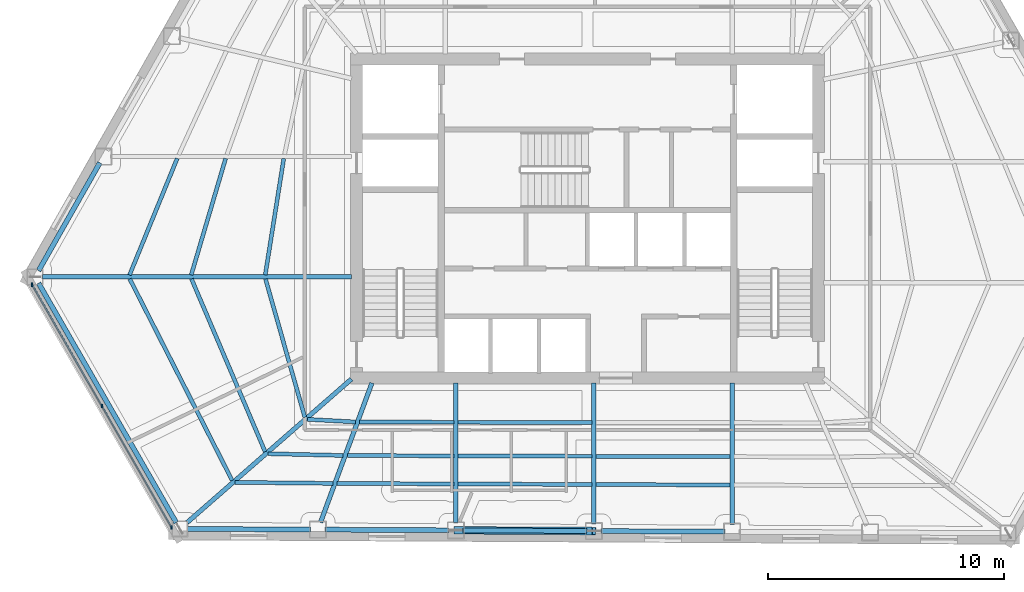
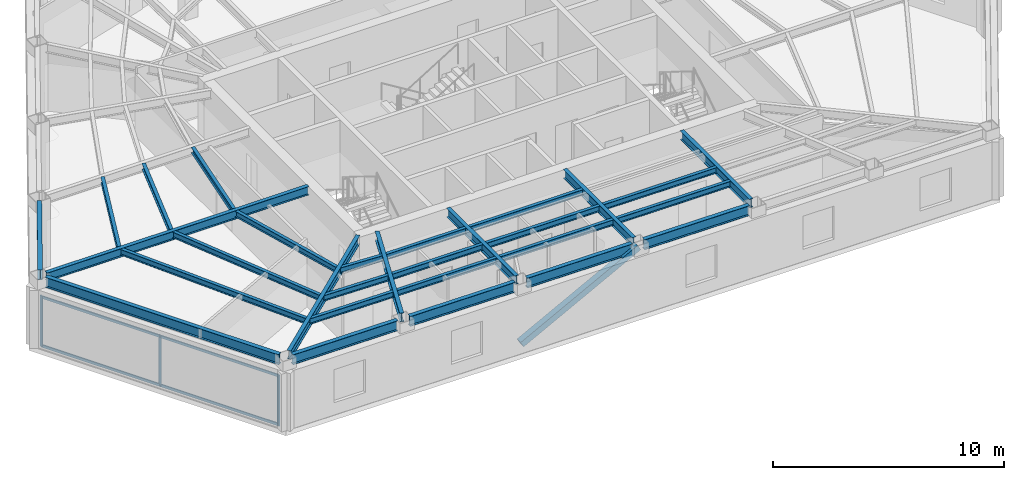
# One storey, part 2 of 13: 29 beams, 6 members, 1 element without a shape of its own.
"""IFC4 building model written with IfcOpenShell, lengths in metres."""

from ifc_helpers import new_model, si_unit, direction, frame, origin, origin_2d, place, context, subcontext, project, spatial, rectangle, hollow_rectangle, i_section, extrude, material, layer, layer_set, material_profile, profile_set, type_object, element, aggregate, save


model = new_model("IFC4")

# Units and contexts
model_context = context("Model", 3, precision=1e-05, world=origin(), true_north=direction((0.0, 1.0)))
body_context = subcontext(model_context, "Body", "Model", "MODEL_VIEW")
ifc_project = project(units=[si_unit("LENGTHUNIT", "METRE"), si_unit("AREAUNIT", "SQUARE_METRE"), si_unit("VOLUMEUNIT", "CUBIC_METRE"), si_unit("PLANEANGLEUNIT", "RADIAN"), si_unit("MASSUNIT", "GRAM", prefix="KILO")], contexts=[model_context])

# Site, building, storey
site_placement = place(None, origin())
site = spatial("IfcSite", under=ifc_project, at=site_placement, CompositionType="ELEMENT")
building_placement = place(site_placement, origin())
building = spatial("IfcBuilding", under=site, at=building_placement, Name="Kavelnor Concourse Tower", CompositionType="ELEMENT")
storey_placement = place(building_placement, frame((0.0, 0.0, 100.89990234375)))
storey = spatial("IfcBuildingStorey", under=building, at=storey_placement, Name="L25", CompositionType="ELEMENT", Elevation=100.89990234375)

# Beams
ifc_material_1 = material(Name="Steel Grade 350", Category="steel")
ifc_material_profile_1 = material_profile(ifc_material_1, i_section(OverallWidth=0.166015625, OverallDepth=0.306884765625, WebThickness=0.006591796875, FlangeThickness=0.01171875, at=origin_2d()), Name="310UB46")
ifc_profile_set_1 = profile_set([ifc_material_profile_1], Name="Steel Grade 350")
beam_type_1 = type_object("IfcBeamType", Name="BM-JOIST-310", PredefinedType="JOIST", material=ifc_profile_set_1)
beam_1_placement = place(storey_placement, frame((24.377197265625, 13.540771484375, 3.446533203125), z_axis=(0.273421872774, -0.961894214292, 0.0), x_axis=(0.961894214292, 0.273421872774, 0.0)))
element("IfcBeam", 1, at=beam_1_placement, inside=storey, type_object=beam_type_1, Name="L25 Secondary Composite Joist 01-1", PredefinedType="JOIST", context=body_context, shape_type="SweptSolid", body=[
    extrude(i_section(OverallWidth=0.166015625, OverallDepth=0.306884765625, WebThickness=0.006591796875, FlangeThickness=0.01171875, at=origin_2d()), origin(), (0.0, 0.0, 1.0), 6.08154296875),
])
beam_2_placement = place(storey_placement, frame((21.24462890625, 13.54443359375, 3.446533203125), z_axis=(0.392106109439, -0.919919995946, 0.0), x_axis=(0.919919995946, 0.392106109439, 0.0)))
element("IfcBeam", 2, at=beam_2_placement, inside=storey, type_object=beam_type_1, Name="L25 Secondary Composite Joist 01-2", PredefinedType="JOIST", context=body_context, shape_type="SweptSolid", body=[
    extrude(i_section(OverallWidth=0.166015625, OverallDepth=0.306884765625, WebThickness=0.006591796875, FlangeThickness=0.01171875, at=origin_2d()), origin(), (0.0, 0.0, 1.0), 7.949951171875),
])
beam_3_placement = place(storey_placement, frame((18.630859375, 13.547119140625, 3.446533203125), z_axis=(0.453040874206, -0.891489745481, 0.0), x_axis=(0.891489745481, 0.453040874206, 0.0)))
element("IfcBeam", 3, at=beam_3_placement, inside=storey, type_object=beam_type_1, Name="L25 Secondary Composite Joist 01-3", PredefinedType="JOIST", context=body_context, shape_type="SweptSolid", body=[
    extrude(i_section(OverallWidth=0.166015625, OverallDepth=0.306884765625, WebThickness=0.006591796875, FlangeThickness=0.01171875, at=origin_2d()), origin(), (0.0, 0.0, 1.0), 9.5703125),
])
beam_4_placement = place(storey_placement, frame((26.1533203125, 7.6005859375, 3.446533203125), z_axis=(0.998534202843, -0.054124354527, 0.0), x_axis=(0.054124354527, 0.998534202843, 0.0)))
element("IfcBeam", 4, at=beam_4_placement, inside=storey, type_object=beam_type_1, Name="L25 Secondary Composite Joist 02-1", PredefinedType="JOIST", context=body_context, shape_type="SweptSolid", body=[
    extrude(i_section(OverallWidth=0.166015625, OverallDepth=0.306884765625, WebThickness=0.006591796875, FlangeThickness=0.01171875, at=origin_2d()), origin(), (0.0, 0.0, 1.0), 2.02978515625),
])
beam_5_placement = place(storey_placement, frame((24.485595703125, 6.147216796875, 3.446533203125), z_axis=(0.999722872434, -0.02354099261, 0.0), x_axis=(0.02354099261, 0.999722872434, 0.0)))
element("IfcBeam", 5, at=beam_5_placement, inside=storey, type_object=beam_type_1, Name="L25 Secondary Composite Joist 02-2", PredefinedType="JOIST", context=body_context, shape_type="SweptSolid", body=[
    extrude(i_section(OverallWidth=0.166015625, OverallDepth=0.306884765625, WebThickness=0.006591796875, FlangeThickness=0.01171875, at=origin_2d()), origin(), (0.0, 0.0, 1.0), 3.173583984375),
])
beam_6_placement = place(storey_placement, frame((23.095703125, 4.93505859375, 3.446533203125), z_axis=(0.999944583282, -0.010527600155, 0.0), x_axis=(0.010527600155, 0.999944583282, 0.0)))
element("IfcBeam", 6, at=beam_6_placement, inside=storey, type_object=beam_type_1, Name="L25 Secondary Composite Joist 02-3", PredefinedType="JOIST", context=body_context, shape_type="SweptSolid", body=[
    extrude(i_section(OverallWidth=0.166015625, OverallDepth=0.306884765625, WebThickness=0.006591796875, FlangeThickness=0.01171875, at=origin_2d()), origin(), (0.0, 0.0, 1.0), 4.1279296875),
])
beam_7_placement = place(storey_placement, frame((28.358154296875, 7.48583984375, 3.446533203125), z_axis=(0.999998422562, -0.001776196132, 0.0), x_axis=(0.001776196132, 0.999998422562, 0.0)))
element("IfcBeam", 7, at=beam_7_placement, inside=storey, type_object=beam_type_1, Name="L25 Secondary Composite Joist 03-1", PredefinedType="JOIST", context=body_context, shape_type="SweptSolid", body=[
    extrude(i_section(OverallWidth=0.166015625, OverallDepth=0.306884765625, WebThickness=0.006591796875, FlangeThickness=0.01171875, at=origin_2d()), origin(), (0.0, 0.0, 1.0), 3.986083984375),
])
beam_8_placement = place(storey_placement, frame((27.836181640625, 6.070068359375, 3.446533203125), z_axis=(0.999994179656, -0.003411840418, 0.0), x_axis=(0.003411840418, 0.999994179656, 0.0)))
element("IfcBeam", 8, at=beam_8_placement, inside=storey, type_object=beam_type_1, Name="L25 Secondary Composite Joist 03-2", PredefinedType="JOIST", context=body_context, shape_type="SweptSolid", body=[
    extrude(i_section(OverallWidth=0.166015625, OverallDepth=0.306884765625, WebThickness=0.006591796875, FlangeThickness=0.01171875, at=origin_2d()), origin(), (0.0, 0.0, 1.0), 4.508056640625),
])
beam_9_placement = place(storey_placement, frame((27.4013671875, 4.89013671875, 3.446533203125), z_axis=(0.9999901197, -0.004445278612, 0.0), x_axis=(0.004445278612, 0.9999901197, 0.0)))
element("IfcBeam", 9, at=beam_9_placement, inside=storey, type_object=beam_type_1, Name="L25 Secondary Composite Joist 03-3", PredefinedType="JOIST", context=body_context, shape_type="SweptSolid", body=[
    extrude(i_section(OverallWidth=0.166015625, OverallDepth=0.306884765625, WebThickness=0.006591796875, FlangeThickness=0.01171875, at=origin_2d()), origin(), (0.0, 0.0, 1.0), 4.94287109375),
])
for number, where, z_axis, x_axis, name in (
    (10, (32.522216796875, 7.478515625, 3.446533203125), (0.999998925761, -0.001465768386, 0.0), (0.001465768386, 0.999998925761, 0.0), "L25 Secondary Composite Joist 04-1"),
    (11, (32.522216796875, 6.05419921875, 3.446533203125), (0.999996311732, -0.002715975497, 0.0), (0.002715975497, 0.999996311732, 0.0), "L25 Secondary Composite Joist 04-2"),
    (12, (32.522216796875, 4.8671875, 3.446533203125), (0.99999312716, -0.003707510301, 0.0), (0.003707510301, 0.99999312716, 0.0), "L25 Secondary Composite Joist 04-3"),
):
    element("IfcBeam", number, at=place(storey_placement, frame(where, z_axis=z_axis, x_axis=x_axis)), inside=storey, type_object=beam_type_1, Name=name, PredefinedType="JOIST", context=body_context, shape_type="SweptSolid", body=[
        extrude(i_section(OverallWidth=0.166015625, OverallDepth=0.306884765625, WebThickness=0.006591796875, FlangeThickness=0.01171875, at=origin_2d()), origin(), (0.0, 0.0, 1.0), 5.6630859375),
    ])
for number, where, z_axis, x_axis, name in (
    (13, (38.36328125, 6.038330078125, 3.446533203125), (0.999996427582, -0.002672980319, 0.0), (0.002672980319, 0.999996427582, 0.0), "L25 Secondary Composite Joist 05-2"),
    (14, (38.36328125, 4.845458984375, 3.446533203125), (0.999992965793, -0.00375078198, 0.0), (0.00375078198, 0.999992965793, 0.0), "L25 Secondary Composite Joist 05-3"),
):
    element("IfcBeam", number, at=place(storey_placement, frame(where, z_axis=z_axis, x_axis=x_axis)), inside=storey, type_object=beam_type_1, Name=name, PredefinedType="JOIST", context=body_context, shape_type="SweptSolid", body=[
        extrude(i_section(OverallWidth=0.166015625, OverallDepth=0.306884765625, WebThickness=0.006591796875, FlangeThickness=0.01171875, at=origin_2d()), origin(), (0.0, 0.0, 1.0), 5.662841796875),
    ])
beam_10_placement = place(storey_placement, frame((25.1494140625, 18.634765625, 3.446533203125), z_axis=(-0.157052049114, -0.987590326942, 0.0), x_axis=(0.987590326942, -0.157052049114, 0.0)))
element("IfcBeam", 15, at=beam_10_placement, inside=storey, type_object=beam_type_1, Name="L25 Secondary Composite Joist 21-1", PredefinedType="JOIST", context=body_context, shape_type="SweptSolid", body=[
    extrude(i_section(OverallWidth=0.166015625, OverallDepth=0.306884765625, WebThickness=0.006591796875, FlangeThickness=0.01171875, at=origin_2d()), origin(), (0.0, 0.0, 1.0), 4.982177734375),
])
beam_11_placement = place(storey_placement, frame((22.689697265625, 18.63720703125, 3.446533203125), z_axis=(-0.283236833557, -0.959049996672, 0.0), x_axis=(0.959049996672, -0.283236833557, 0.0)))
element("IfcBeam", 16, at=beam_11_placement, inside=storey, type_object=beam_type_1, Name="L25 Secondary Composite Joist 21-2", PredefinedType="JOIST", context=body_context, shape_type="SweptSolid", body=[
    extrude(i_section(OverallWidth=0.166015625, OverallDepth=0.306884765625, WebThickness=0.006591796875, FlangeThickness=0.01171875, at=origin_2d()), origin(), (0.0, 0.0, 1.0), 5.135498046875),
])
beam_12_placement = place(storey_placement, frame((20.640869140625, 18.640380859375, 3.446533203125), z_axis=(-0.378490103516, -0.925605337896, 0.0), x_axis=(0.925605337896, -0.378490103516, 0.0)))
element("IfcBeam", 17, at=beam_12_placement, inside=storey, type_object=beam_type_1, Name="L25 Secondary Composite Joist 21-3", PredefinedType="JOIST", context=body_context, shape_type="SweptSolid", body=[
    extrude(i_section(OverallWidth=0.166015625, OverallDepth=0.306884765625, WebThickness=0.006591796875, FlangeThickness=0.01171875, at=origin_2d()), origin(), (0.0, 0.0, 1.0), 5.328125),
])
ifc_material_profile_2 = material_profile(ifc_material_1, i_section(OverallWidth=0.18994140625, OverallDepth=0.4541015625, WebThickness=0.008544921875, FlangeThickness=0.0126953125, at=origin_2d()), Name="460UB67")
ifc_profile_set_2 = profile_set([ifc_material_profile_2], Name="Steel Grade 350")
beam_type_2 = type_object("IfcBeamType", Name="BM-PRIMARY-460", PredefinedType="BEAM", material=ifc_profile_set_2)
beam_13_placement = place(storey_placement, frame((28.02001953125, 13.62646484375, 3.373046875), z_axis=(-1.0, 0.0, 0.0), x_axis=(0.0, -1.0, 0.0)))
element("IfcBeam", 18, at=beam_13_placement, inside=storey, type_object=beam_type_2, Name="L25 Primary Floor Girder F0-B6", PredefinedType="BEAM", context=body_context, shape_type="SweptSolid", body=[
    extrude(i_section(OverallWidth=0.18994140625, OverallDepth=0.4541015625, WebThickness=0.008544921875, FlangeThickness=0.0126953125, at=origin_2d()), origin(), (0.0, 0.0, 1.0), 13.096435546875),
])
beam_14_placement = place(storey_placement, frame((28.010009765625, 9.30419921875, 3.373046875), z_axis=(-0.753299252327, -0.657677912389, 0.0), x_axis=(0.657677912389, -0.753299252327, 0.0)))
element("IfcBeam", 19, at=beam_14_placement, inside=storey, type_object=beam_type_2, Name="L25 Primary Floor Girder F1-B0", PredefinedType="BEAM", context=body_context, shape_type="SweptSolid", body=[
    extrude(i_section(OverallWidth=0.18994140625, OverallDepth=0.4541015625, WebThickness=0.008544921875, FlangeThickness=0.0126953125, at=origin_2d()), origin(), (0.0, 0.0, 1.0), 9.224609375),
])
beam_15_placement = place(storey_placement, frame((28.877685546875, 9.137451171875, 3.373046875), z_axis=(-0.345840336278, -0.938293377256, 0.0), x_axis=(0.938293377256, -0.345840336278, 0.0)))
element("IfcBeam", 20, at=beam_15_placement, inside=storey, type_object=beam_type_2, Name="L25 Primary Floor Girder F1-B1", PredefinedType="BEAM", context=body_context, shape_type="SweptSolid", body=[
    extrude(i_section(OverallWidth=0.18994140625, OverallDepth=0.4541015625, WebThickness=0.008544921875, FlangeThickness=0.0126953125, at=origin_2d()), origin(), (0.0, 0.0, 1.0), 6.286376953125),
])
beam_16_placement = place(storey_placement, frame((32.43310546875, 9.139892578125, 3.373046875), z_axis=(0.0, -1.0, 0.0), x_axis=(1.0, 0.0, 0.0)))
element("IfcBeam", 21, at=beam_16_placement, inside=storey, type_object=beam_type_2, Name="L25 Primary Floor Girder F1-B2", PredefinedType="BEAM", context=body_context, shape_type="SweptSolid", body=[
    extrude(i_section(OverallWidth=0.18994140625, OverallDepth=0.4541015625, WebThickness=0.008544921875, FlangeThickness=0.0126953125, at=origin_2d()), origin(), (0.0, 0.0, 1.0), 5.93359375),
])
beam_17_placement = place(storey_placement, frame((38.274169921875, 9.139892578125, 3.373046875), z_axis=(0.0, -1.0, 0.0), x_axis=(1.0, 0.0, 0.0)))
element("IfcBeam", 22, at=beam_17_placement, inside=storey, type_object=beam_type_2, Name="L25 Primary Floor Girder F1-B3", PredefinedType="BEAM", context=body_context, shape_type="SweptSolid", body=[
    extrude(i_section(OverallWidth=0.18994140625, OverallDepth=0.4541015625, WebThickness=0.008544921875, FlangeThickness=0.0126953125, at=origin_2d()), origin(), (0.0, 0.0, 1.0), 5.964111328125),
])
beam_18_placement = place(storey_placement, frame((44.115234375, 9.139892578125, 3.373046875), z_axis=(0.0, -1.0, 0.0), x_axis=(1.0, 0.0, 0.0)))
element("IfcBeam", 23, at=beam_18_placement, inside=storey, type_object=beam_type_2, Name="L25 Primary Floor Girder F1-B4", PredefinedType="BEAM", context=body_context, shape_type="SweptSolid", body=[
    extrude(i_section(OverallWidth=0.18994140625, OverallDepth=0.4541015625, WebThickness=0.008544921875, FlangeThickness=0.0126953125, at=origin_2d()), origin(), (0.0, 0.0, 1.0), 5.994384765625),
])
ifc_material_profile_3 = material_profile(ifc_material_1, i_section(OverallWidth=0.208984375, OverallDepth=0.532958984375, WebThickness=0.01025390625, FlangeThickness=0.015625, at=origin_2d()), Name="530UB92")
ifc_profile_set_3 = profile_set([ifc_material_profile_3], Name="Steel Grade 350")
beam_type_3 = type_object("IfcBeamType", Name="BM-SPANDREL-Z2", PredefinedType="SPANDREL", material=ifc_profile_set_3)
beam_19_placement = place(storey_placement, frame((17.367431640625, 18.45751953125, 3.33349609375), z_axis=(-0.493864017051, -0.869539149585, 0.0), x_axis=(0.869539149585, -0.493864017051, 0.0)))
element("IfcBeam", 24, at=beam_19_placement, inside=storey, type_object=beam_type_3, Name="L25 Perimeter Tube Spandrel Beam F0-B5", PredefinedType="SPANDREL", context=body_context, shape_type="SweptSolid", body=[
    extrude(i_section(OverallWidth=0.208984375, OverallDepth=0.532958984375, WebThickness=0.01025390625, FlangeThickness=0.015625, at=origin_2d()), origin(), (0.0, 0.0, 1.0), 5.2509765625),
])
for number, where, z_axis, x_axis, name in (
    (25, (21.05615234375, 2.965087890625, 3.33349609375), (0.99998658085, -0.005180552155, 0.0), (0.005180552155, 0.99998658085, 0.0), "L25 Perimeter Tube Spandrel Beam F1-B0"),
    (26, (26.897216796875, 2.934814453125, 3.33349609375), (0.99998658085, -0.005180552155, 0.0), (0.005180552155, 0.99998658085, 0.0), "L25 Perimeter Tube Spandrel Beam F1-B1"),
    (27, (32.73828125, 2.904541015625, 3.33349609375), (0.99998658085, -0.005180552155, 0.0), (0.005180552155, 0.99998658085, 0.0), "L25 Perimeter Tube Spandrel Beam F1-B2"),
):
    element("IfcBeam", number, at=place(storey_placement, frame(where, z_axis=z_axis, x_axis=x_axis)), inside=storey, type_object=beam_type_3, Name=name, PredefinedType="SPANDREL", context=body_context, shape_type="SweptSolid", body=[
        extrude(i_section(OverallWidth=0.208984375, OverallDepth=0.532958984375, WebThickness=0.01025390625, FlangeThickness=0.015625, at=origin_2d()), origin(), (0.0, 0.0, 1.0), 5.23095703125),
    ])
beam_20_placement = place(storey_placement, frame((38.5791015625, 2.874267578125, 3.33349609375), z_axis=(0.999986582102, -0.005180310385, 0.0), x_axis=(0.005180310385, 0.999986582102, 0.0)))
element("IfcBeam", 28, at=beam_20_placement, inside=storey, type_object=beam_type_3, Name="L25 Perimeter Tube Spandrel Beam F1-B3", PredefinedType="SPANDREL", context=body_context, shape_type="SweptSolid", body=[
    extrude(i_section(OverallWidth=0.208984375, OverallDepth=0.532958984375, WebThickness=0.01025390625, FlangeThickness=0.015625, at=origin_2d()), origin(), (0.0, 0.0, 1.0), 5.231201171875),
])
beam_21_placement = place(storey_placement, frame((14.775390625, 13.362060546875, 3.33349609375), z_axis=(0.498373772456, -0.866962273071, 0.0), x_axis=(0.866962273071, 0.498373772456, 0.0)))
element("IfcBeam", 29, at=beam_21_placement, inside=storey, type_object=beam_type_3, Name="L25 Chamfer Facet Spandrel Beam C1", PredefinedType="SPANDREL", context=body_context, shape_type="SweptSolid", body=[
    extrude(i_section(OverallWidth=0.208984375, OverallDepth=0.532958984375, WebThickness=0.01025390625, FlangeThickness=0.015625, at=origin_2d()), origin(), (0.0, 0.0, 1.0), 11.685546875),
])

# Curtain wall, members
ifc_material_2 = material(Name="Anodised aluminium 6063-T6", Category="aluminium")
ifc_layer = layer(ifc_material_2, 0.155029296875, Name="Anodised aluminium 6063-T6")
ifc_layer_set = layer_set([ifc_layer], Name="Anodised aluminium 6063-T6")
curtain_wall_type = type_object("IfcCurtainWallType", Name="CW-CORNER-ACCENT", PredefinedType="NOTDEFINED", material=ifc_layer_set)
curtain_wall_placement = place(storey_placement, origin())
curtain_wall = element("IfcCurtainWall", 30, at=curtain_wall_placement, inside=storey, type_object=curtain_wall_type, Name="L25 Chamfer Corner Glazed Accent C1", PredefinedType="NOTDEFINED")
ifc_material_profile_4 = material_profile(ifc_material_2, rectangle(XDim=0.06005859375, YDim=0.155029296875, at=origin_2d()), Name="AL-MULL 60x155")
ifc_profile_set_4 = profile_set([ifc_material_profile_4], Name="Anodised aluminium 6063-T6")
member_type_1 = type_object("IfcMemberType", Name="CW-CORNER-ACCENT-MULL", PredefinedType="MULLION", material=ifc_profile_set_4)
member_1_placement = place(storey_placement, frame((20.405517578125, 3.0263671875, 0.0), z_axis=(0.0, 0.0, 1.0), x_axis=(1.0, 0.0, 0.0)))
member_1 = element("IfcMember", 31, at=member_1_placement, type_object=member_type_1, Name="L25 Chamfer Corner Glazed Accent C1 Mullion 0", PredefinedType="MULLION", context=body_context, shape_type="SweptSolid", body=[
    extrude(rectangle(XDim=0.06005859375, YDim=0.155029296875, at=origin_2d()), origin(), (0.0, 0.0, 1.0), 2.7001953125),
])
member_2_placement = place(storey_placement, frame((17.45361328125, 8.161376953125, 0.0), z_axis=(0.0, 0.0, 1.0), x_axis=(1.0, 0.0, 0.0)))
member_2 = element("IfcMember", 32, at=member_2_placement, type_object=member_type_1, Name="L25 Chamfer Corner Glazed Accent C1 Mullion 1", PredefinedType="MULLION", context=body_context, shape_type="SweptSolid", body=[
    extrude(rectangle(XDim=0.06005859375, YDim=0.155029296875, at=origin_2d()), origin(), (0.0, 0.0, 1.0), 2.7001953125),
])
member_3_placement = place(storey_placement, frame((14.501953125, 13.296142578125, 0.0), z_axis=(0.0, 0.0, 1.0), x_axis=(1.0, 0.0, 0.0)))
member_3 = element("IfcMember", 33, at=member_3_placement, type_object=member_type_1, Name="L25 Chamfer Corner Glazed Accent C1 Mullion 2", PredefinedType="MULLION", context=body_context, shape_type="SweptSolid", body=[
    extrude(rectangle(XDim=0.06005859375, YDim=0.155029296875, at=origin_2d()), origin(), (0.0, 0.0, 1.0), 2.7001953125),
])
ifc_material_profile_5 = material_profile(ifc_material_2, rectangle(XDim=0.06005859375, YDim=0.1298828125, at=origin_2d()), Name="AL-TRAN 60x130")
ifc_profile_set_5 = profile_set([ifc_material_profile_5], Name="Anodised aluminium 6063-T6")
member_type_2 = type_object("IfcMemberType", Name="CW-CORNER-ACCENT-TRAN", PredefinedType="USERDEFINED", material=ifc_profile_set_5)
member_4_placement = place(storey_placement, frame((20.405517578125, 3.0263671875, 0.06005859375), z_axis=(-0.498372378502, 0.866963074384, 0.0), x_axis=(-0.866963074384, -0.498372378502, 0.0)))
member_4 = element("IfcMember", 34, at=member_4_placement, type_object=member_type_2, Name="L25 Chamfer Corner Glazed Accent C1 Transom 0-BOT", ObjectType="TRANSOM", PredefinedType="USERDEFINED", context=body_context, shape_type="SweptSolid", body=[
    extrude(rectangle(XDim=0.06005859375, YDim=0.1298828125, at=origin_2d()), origin(), (0.0, 0.0, 1.0), 11.845703125),
])
member_5_placement = place(storey_placement, frame((20.405517578125, 3.0263671875, 2.64013671875), z_axis=(-0.498372378502, 0.866963074384, 0.0), x_axis=(-0.866963074384, -0.498372378502, 0.0)))
member_5 = element("IfcMember", 35, at=member_5_placement, type_object=member_type_2, Name="L25 Chamfer Corner Glazed Accent C1 Transom 0-TOP", ObjectType="TRANSOM", PredefinedType="USERDEFINED", context=body_context, shape_type="SweptSolid", body=[
    extrude(rectangle(XDim=0.06005859375, YDim=0.1298828125, at=origin_2d()), origin(), (0.0, 0.0, 1.0), 11.845703125),
])
aggregate(curtain_wall, [member_1, member_2, member_3, member_4, member_5])

# Member
ifc_material_profile_6 = material_profile(ifc_material_1, hollow_rectangle(XDim=0.320068359375, YDim=0.320068359375, WallThickness=0.01806640625, at=origin_2d()), Name="SHS 320x320x18")
ifc_profile_set_6 = profile_set([ifc_material_profile_6], Name="Steel Grade 350")
member_type_3 = type_object("IfcMemberType", Name="MBR-TUBE-DIAG-Z2", PredefinedType="BRACE", material=ifc_profile_set_6)
member_6_placement = place(storey_placement, frame((32.43310546875, 2.90625, 0.22021484375), z_axis=(0.882466056428, -0.004610585457, 0.470353485959), x_axis=(0.00522458909, 0.999986351741, 0.0)))
element("IfcMember", 36, at=member_6_placement, inside=storey, type_object=member_type_3, Name="L25 Framed-Tube Bracing Diagonal F1-B2", PredefinedType="BRACE", context=body_context, shape_type="SweptSolid", body=[
    extrude(hollow_rectangle(XDim=0.320068359375, YDim=0.320068359375, WallThickness=0.01806640625, at=origin_2d()), origin(), (0.0, 0.0, 1.0), 6.619140625),
])

save(model, "model.ifc")
